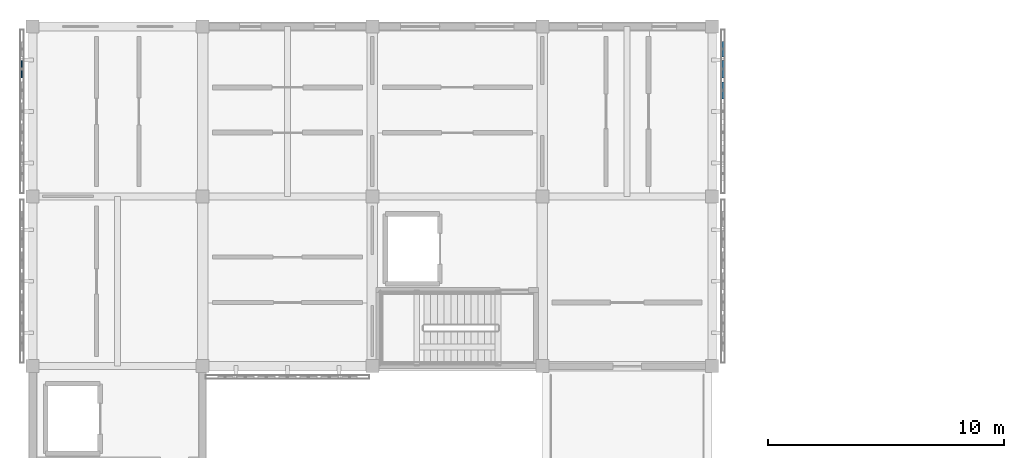
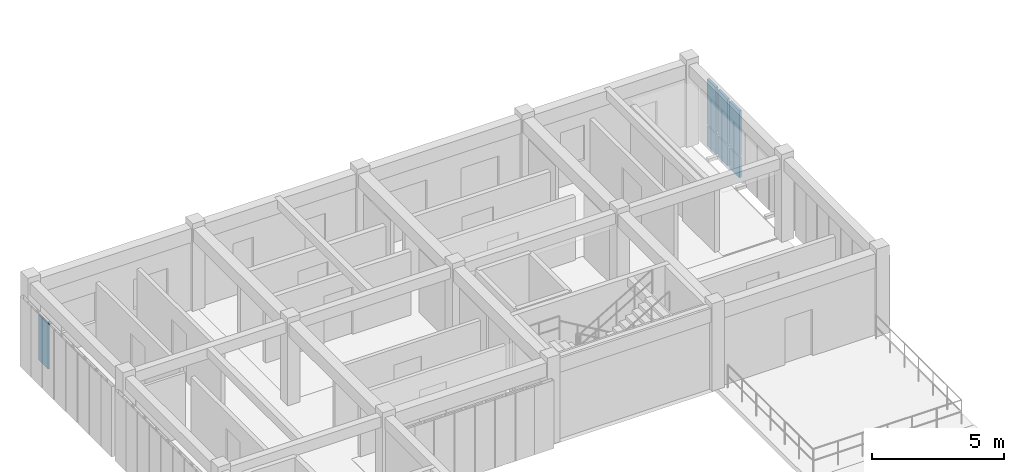
# One storey, part 19 of 33: 7 plates, 2 elements without a shape of their own.
"""IFC4 building model written with IfcOpenShell, lengths in metres."""

import ifcopenshell
import ifcopenshell.guid

model = None  # the IFC model being written
_history = None  # IfcOwnerHistory: only IFC2X3 demands one
_inside = {}  # id of a spatial element -> (the spatial element, [elements in it])
_under = {}  # id of a project, library or spatial element -> (it, [spatial elements below it])
_declared = {}  # id of a project -> (the project, [libraries it declares])
_typed = {}  # id of a type object -> (the type object, [elements of that type])
_made_of = {}  # id of a material, layer set ... -> (it, [elements and type objects made of it])


def new_model(schema):
    """Start an empty IFC model of exactly this schema.

    Asked for "IFC4X3", IfcOpenShell would pick the latest addendum, in which some entities
    have other attributes; the version numbers below select the first issue.
    IFC2X3 requires an IfcOwnerHistory on every rooted entity: one is made here for all.
    """
    global model, _history
    if schema == "IFC4X3":
        model = ifcopenshell.file(schema_version=(4, 3, 0, 0))
    else:
        model = ifcopenshell.file(schema=schema)
    _inside.clear()
    _under.clear()
    _declared.clear()
    _typed.clear()
    _made_of.clear()
    _history = None
    if model.schema == "IFC2X3":
        org = make("IfcOrganization", Name="unknown")
        user = make(
            "IfcPersonAndOrganization",
            ThePerson=make("IfcPerson", FamilyName="unknown"),
            TheOrganization=org,
        )
        app = make(
            "IfcApplication",
            ApplicationDeveloper=org,
            Version="unknown",
            ApplicationFullName="unknown",
            ApplicationIdentifier="unknown",
        )
        _history = make(
            "IfcOwnerHistory",
            OwningUser=user,
            OwningApplication=app,
            ChangeAction="ADDED",
            CreationDate=0,
        )
    return model


def make(cls, **values):
    """One entity of the class cls with the attributes given. An attribute that is None is left unset."""
    return model.create_entity(
        cls, **{name: value for name, value in values.items() if value is not None}
    )


def rooted(cls, **values):
    """An entity with a GlobalId (a new one), such as an element, a storey or a relation."""
    return make(cls, GlobalId=ifcopenshell.guid.new(), OwnerHistory=_history, **values)


def si_unit(unit_type, name, prefix=None):
    """IfcSIUnit, for example si_unit("LENGTHUNIT", "METRE", prefix="MILLI")."""
    return make("IfcSIUnit", UnitType=unit_type, Prefix=prefix, Name=name)


def assignment(units):
    """IfcUnitAssignment: the units of a project."""
    return None if units is None else make("IfcUnitAssignment", Units=units)


def point(xyz):
    """IfcCartesianPoint."""
    return None if xyz is None else make("IfcCartesianPoint", Coordinates=xyz)


def direction(xyz):
    """IfcDirection."""
    return None if xyz is None else make("IfcDirection", DirectionRatios=xyz)


def frame(location, z_axis=None, x_axis=None):
    """IfcAxis2Placement3D, a coordinate frame: its origin and axes. An axis left out is left unset."""
    return make(
        "IfcAxis2Placement3D",
        Location=point(location),
        Axis=direction(z_axis),
        RefDirection=direction(x_axis),
    )


def frame_2d(location, x_axis=None):
    """IfcAxis2Placement2D, a coordinate frame in the plane: its origin and x axis."""
    return make(
        "IfcAxis2Placement2D", Location=point(location), RefDirection=direction(x_axis)
    )


def origin():
    """The frame at (0, 0, 0) with its axes left unset."""
    return frame((0.0, 0.0, 0.0))


def origin_2d():
    """The frame at (0, 0) in the plane with its x axis left unset."""
    return frame_2d((0.0, 0.0))


def place(relative_to, where):
    """IfcLocalPlacement: puts the frame where relative to a parent placement (None: the world)."""
    return make(
        "IfcLocalPlacement", PlacementRelTo=relative_to, RelativePlacement=where
    )


def context(
    kind, dimensions, precision=None, world=None, true_north=None, identifier=None
):
    """IfcGeometricRepresentationContext, for example the 3D "Model" context."""
    return make(
        "IfcGeometricRepresentationContext",
        ContextIdentifier=identifier,
        ContextType=kind,
        CoordinateSpaceDimension=dimensions,
        Precision=precision,
        WorldCoordinateSystem=world,
        TrueNorth=true_north,
    )


def subcontext(parent, identifier, kind, view, scale=None):
    """IfcGeometricRepresentationSubContext, for example "Body" below "Model"."""
    return make(
        "IfcGeometricRepresentationSubContext",
        ContextIdentifier=identifier,
        ContextType=kind,
        ParentContext=parent,
        TargetScale=scale,
        TargetView=view,
    )


def project(units=None, contexts=None):
    """IfcProject with its units and contexts."""
    return rooted(
        "IfcProject",
        Name="project",
        RepresentationContexts=contexts,
        UnitsInContext=assignment(units),
    )


def spatial(cls, under=None, at=None, **own):
    """A site, building, storey or space (cls), placed at a placement, below another one or the project."""
    s = rooted(cls, ObjectPlacement=at, **own)
    if under is not None:
        _under.setdefault(under.id(), (under, []))[1].append(s)
    return s


def profile(cls, at=None, kind="AREA", **sizes):
    """A parametric profile (cls). Its sizes go by their IFC names, for example OverallWidth=200.0."""
    return make(cls, ProfileType=kind, Position=at, **sizes)


def rectangle(**sizes):
    """IfcRectangleProfileDef."""
    return profile("IfcRectangleProfileDef", **sizes)


def extrude(swept, where, along, depth):
    """IfcExtrudedAreaSolid: the profile swept, set in the frame where, extruded along a direction by depth."""
    return make(
        "IfcExtrudedAreaSolid",
        SweptArea=swept,
        Position=where,
        ExtrudedDirection=direction(along),
        Depth=depth,
    )


def shape(context_of_items, identifier, shape_type, items):
    """IfcShapeRepresentation: the items that make up one representation, for example the "Body"."""
    return make(
        "IfcShapeRepresentation",
        ContextOfItems=context_of_items,
        RepresentationIdentifier=identifier,
        RepresentationType=shape_type,
        Items=items,
    )


def material(Name=None, Category=None):
    """IfcMaterial."""
    return make("IfcMaterial", Name=Name, Category=Category)


def layer(
    of_material, thickness, ventilated=None, Name=None, Category=None, Priority=None
):
    """IfcMaterialLayer: one layer of a wall or slab, of a material (None: an air gap)."""
    return make(
        "IfcMaterialLayer",
        Material=of_material,
        LayerThickness=thickness,
        IsVentilated=ventilated,
        Name=Name,
        Category=Category,
        Priority=Priority,
    )


def layer_set(layers, Name=None):
    """IfcMaterialLayerSet."""
    return make("IfcMaterialLayerSet", MaterialLayers=layers, LayerSetName=Name)


def made_of(thing, what):
    """Note that an element or type object is made of a material, layer set ...; save() writes the relation."""
    if what is not None:
        _made_of.setdefault(what.id(), (what, []))[1].append(thing)
    return thing


def type_object(cls, material=None, **own):
    """A type object (cls), such as IfcWallType, which elements share."""
    return made_of(rooted(cls, **own), material)


def element(
    cls,
    number,
    at=None,
    inside=None,
    cuts=None,
    type_object=None,
    material=None,
    context=None,
    identifier="Body",
    shape_type=None,
    held_by="IfcProductDefinitionShape",
    body=None,
    shapes=None,
    **own,
):
    """One element of the class cls, such as IfcWall. Its Tag is "e" and its number.

    at: its placement. inside: the storey or other place that contains it. cuts: it is an
    opening in that element (IfcRelVoidsElement). A single representation is given by context,
    identifier, shape_type and body (its items); several are given by shapes. held_by: the class
    of the entity that holds the representations. save() writes the other relations.
    """
    e = rooted(cls, Tag="e%d" % number, ObjectPlacement=at, **own)
    if body is not None:
        shapes = [shape(context, identifier, shape_type, body)]
    if shapes is not None:
        e.Representation = make(held_by, Representations=shapes)
    if inside is not None:
        _inside.setdefault(inside.id(), (inside, []))[1].append(e)
    if cuts is not None:
        rooted(
            "IfcRelVoidsElement", RelatingBuildingElement=cuts, RelatedOpeningElement=e
        )
    if type_object is not None:
        _typed.setdefault(type_object.id(), (type_object, []))[1].append(e)
    return made_of(e, material)


def aggregate(whole, parts):
    """IfcRelAggregates: a whole, such as a stair, and the parts it consists of."""
    return rooted("IfcRelAggregates", RelatingObject=whole, RelatedObjects=parts)


def save(model, path):
    """Write the relations noted so far, then the file.

    IfcRelAggregates (storeys below a building ...), IfcRelContainedInSpatialStructure (elements
    in a storey), IfcRelDefinesByType, IfcRelAssociatesMaterial and IfcRelDeclares: one each for
    every whole, place, type object, material and project.
    """
    for whole, parts in _under.values():
        aggregate(whole, parts)
    for where, things in _inside.values():
        rooted(
            "IfcRelContainedInSpatialStructure",
            RelatedElements=things,
            RelatingStructure=where,
        )
    for kind, things in _typed.values():
        rooted("IfcRelDefinesByType", RelatedObjects=things, RelatingType=kind)
    for what, things in _made_of.values():
        rooted("IfcRelAssociatesMaterial", RelatedObjects=things, RelatingMaterial=what)
    for by, libraries in _declared.values():
        rooted("IfcRelDeclares", RelatingContext=by, RelatedDefinitions=libraries)
    model.write(path)


model = new_model("IFC4")

# Units and contexts
model_context = context("Model", 3, precision=1e-05, world=origin(), true_north=direction((0.0, 1.0)))
body_context = subcontext(model_context, "Body", "Model", "MODEL_VIEW")
ifc_project = project(units=[si_unit("LENGTHUNIT", "METRE"), si_unit("AREAUNIT", "SQUARE_METRE"), si_unit("VOLUMEUNIT", "CUBIC_METRE"), si_unit("PLANEANGLEUNIT", "RADIAN"), si_unit("MASSUNIT", "GRAM", prefix="KILO")], contexts=[model_context])

# Site, building, storey
site_placement = place(None, origin())
site = spatial("IfcSite", under=ifc_project, at=site_placement, CompositionType="ELEMENT")
building_placement = place(site_placement, origin())
building = spatial("IfcBuilding", under=site, at=building_placement, Name="Aldebral Square Health Centre", CompositionType="ELEMENT")
storey_placement = place(building_placement, frame((0.0, 0.0, 17.550048828125)))
storey = spatial("IfcBuildingStorey", under=building, at=storey_placement, Name="L04", CompositionType="ELEMENT", Elevation=17.550048828125)

# Curtain wall, plate
ifc_material_1 = material(Name="Aluminium and low-E solar glass", Category="aluminium")
curtain_wall_type = type_object("IfcCurtainWallType", Name="CW-FIN-SYS", PredefinedType="USERDEFINED", material=ifc_material_1)
curtain_wall_1_placement = place(storey_placement, origin())
curtain_wall_1 = element("IfcCurtainWall", 1, at=curtain_wall_1_placement, inside=storey, type_object=curtain_wall_type, Name="L04 V4 finned curtain wall L04-V4-00-15-W", ObjectType="SOLAR_CURTAIN_WALL", PredefinedType="USERDEFINED")
ifc_material_2 = material(Name="Solar-control low-E double glass", Category="glass")
ifc_layer_1 = layer(ifc_material_2, 0.06005859375, Name="Solar-control low-E double glass", Category="glass")
ifc_layer_set_1 = layer_set([ifc_layer_1], Name="Solar-control low-E double glass")
plate_type_1 = type_object("IfcPlateType", Name="CWP-GLZ-5", PredefinedType="CURTAIN_PANEL", material=ifc_layer_set_1)
plate_1_placement = place(storey_placement, frame((-0.4599609375, 113.3828125, 1.08740234375), z_axis=(0.0, 0.0, 1.0), x_axis=(0.0, -1.0, 0.0)))
plate_1 = element("IfcPlate", 2, at=plate_1_placement, type_object=plate_type_1, Name="CW1 panel 2.2", PredefinedType="CURTAIN_PANEL", context=body_context, shape_type="SweptSolid", body=[
    extrude(rectangle(XDim=0.7314453125, YDim=0.06005859375, at=origin_2d()), origin(), (0.0, 0.0, 1.0), 2.08740234375),
])
aggregate(curtain_wall_1, [plate_1])

# Curtain wall, plates
curtain_wall_2_placement = place(storey_placement, origin())
curtain_wall_2 = element("IfcCurtainWall", 3, at=curtain_wall_2_placement, inside=storey, type_object=curtain_wall_type, Name="L04 V4 finned curtain wall L04-V4-03-15-E", ObjectType="SOLAR_CURTAIN_WALL", PredefinedType="USERDEFINED")
ifc_layer_2 = layer(ifc_material_2, 0.090087890625, Name="Solar-control low-E double glass", Category="glass")
ifc_layer_set_2 = layer_set([ifc_layer_2], Name="Solar-control low-E double glass")
plate_type_2 = type_object("IfcPlateType", Name="CWP-GLZ-8", PredefinedType="CURTAIN_PANEL", material=ifc_layer_set_2)
plate_2_placement = place(storey_placement, frame((29.260009765625, 112.491455078125, 0.074951171875), z_axis=(0.0, 0.0, 1.0), x_axis=(0.0, 1.0, 0.0)))
plate_2 = element("IfcPlate", 4, at=plate_2_placement, type_object=plate_type_2, Name="CW1 panel 5.1", PredefinedType="CURTAIN_PANEL", context=body_context, shape_type="SweptSolid", body=[
    extrude(rectangle(XDim=0.7314453125, YDim=0.090087890625, at=origin_2d()), origin(), (0.0, 0.0, 1.0), 0.9375),
])
plate_3_placement = place(storey_placement, frame((29.260009765625, 112.491455078125, 1.08740234375), z_axis=(0.0, 0.0, 1.0), x_axis=(0.0, 1.0, 0.0)))
plate_3 = element("IfcPlate", 5, at=plate_3_placement, type_object=plate_type_2, Name="CW1 panel 5.2", PredefinedType="CURTAIN_PANEL", context=body_context, shape_type="SweptSolid", body=[
    extrude(rectangle(XDim=0.7314453125, YDim=0.090087890625, at=origin_2d()), origin(), (0.0, 0.0, 1.0), 2.08740234375),
])
plate_4_placement = place(storey_placement, frame((29.260009765625, 113.3828125, 0.074951171875), z_axis=(0.0, 0.0, 1.0), x_axis=(0.0, 1.0, 0.0)))
plate_4 = element("IfcPlate", 6, at=plate_4_placement, type_object=plate_type_2, Name="CW1 panel 6.1", PredefinedType="CURTAIN_PANEL", context=body_context, shape_type="SweptSolid", body=[
    extrude(rectangle(XDim=0.7314453125, YDim=0.090087890625, at=origin_2d()), origin(), (0.0, 0.0, 1.0), 0.9375),
])
plate_5_placement = place(storey_placement, frame((29.260009765625, 113.3828125, 1.08740234375), z_axis=(0.0, 0.0, 1.0), x_axis=(0.0, 1.0, 0.0)))
plate_5 = element("IfcPlate", 7, at=plate_5_placement, type_object=plate_type_2, Name="CW1 panel 6.2", PredefinedType="CURTAIN_PANEL", context=body_context, shape_type="SweptSolid", body=[
    extrude(rectangle(XDim=0.7314453125, YDim=0.090087890625, at=origin_2d()), origin(), (0.0, 0.0, 1.0), 2.08740234375),
])
plate_6_placement = place(storey_placement, frame((29.260009765625, 114.234375, 0.074951171875), z_axis=(0.0, 0.0, 1.0), x_axis=(0.0, 1.0, 0.0)))
plate_6 = element("IfcPlate", 8, at=plate_6_placement, type_object=plate_type_2, Name="CW1 panel 7.1", PredefinedType="CURTAIN_PANEL", context=body_context, shape_type="SweptSolid", body=[
    extrude(rectangle(XDim=0.6513671875, YDim=0.090087890625, at=origin_2d()), origin(), (0.0, 0.0, 1.0), 0.9375),
])
plate_7_placement = place(storey_placement, frame((29.260009765625, 114.234375, 1.08740234375), z_axis=(0.0, 0.0, 1.0), x_axis=(0.0, 1.0, 0.0)))
plate_7 = element("IfcPlate", 9, at=plate_7_placement, type_object=plate_type_2, Name="CW1 panel 7.2", PredefinedType="CURTAIN_PANEL", context=body_context, shape_type="SweptSolid", body=[
    extrude(rectangle(XDim=0.6513671875, YDim=0.090087890625, at=origin_2d()), origin(), (0.0, 0.0, 1.0), 2.08740234375),
])
aggregate(curtain_wall_2, [plate_2, plate_3, plate_4, plate_5, plate_6, plate_7])

save(model, "model.ifc")
